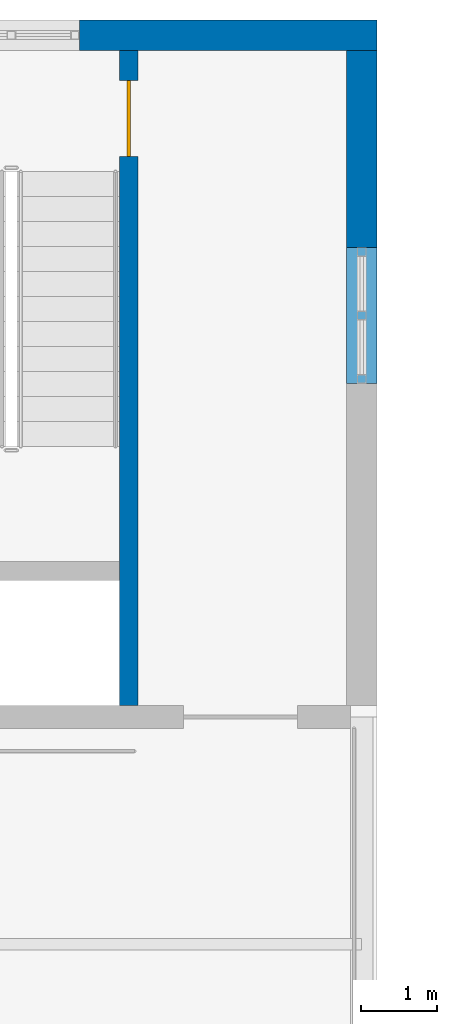
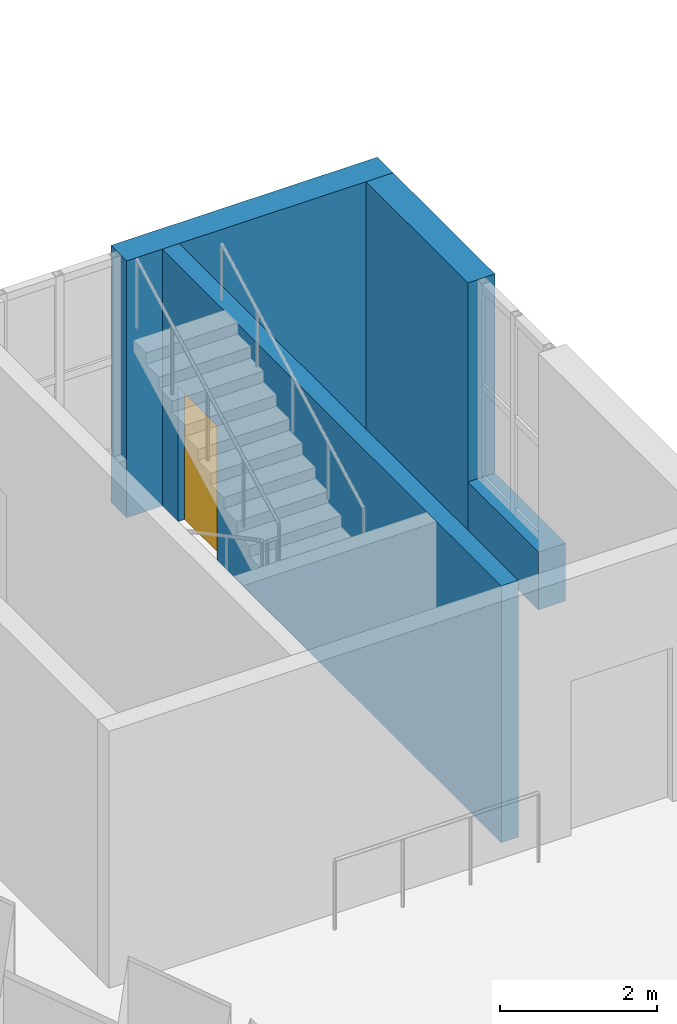
# One storey, part 116 of 154: 4 walls, 1 door, 1 opening.
"""IFC4 building model written with IfcOpenShell, lengths in metres."""

from ifc_helpers import new_model, si_unit, direction, frame, frame_2d, origin, place, context, subcontext, project, spatial, rectangle, extrude, material, layer, layer_set, type_object, element, fill, save


model = new_model("IFC4")

# Units and contexts
model_context = context("Model", 3, precision=1e-05, world=origin(), true_north=direction((0.0, 1.0)))
body_context = subcontext(model_context, "Body", "Model", "MODEL_VIEW")
ifc_project = project(units=[si_unit("LENGTHUNIT", "METRE"), si_unit("AREAUNIT", "SQUARE_METRE"), si_unit("VOLUMEUNIT", "CUBIC_METRE"), si_unit("PLANEANGLEUNIT", "RADIAN"), si_unit("MASSUNIT", "GRAM", prefix="KILO")], contexts=[model_context])

# Site, building, storey
site_placement = place(None, origin())
site = spatial("IfcSite", under=ifc_project, at=site_placement, CompositionType="ELEMENT")
building_placement = place(site_placement, origin())
building = spatial("IfcBuilding", under=site, at=building_placement, Name="Golden Quay Civic Hall", CompositionType="ELEMENT")
storey_placement = place(building_placement, frame((0.0, 0.0, 14.39990234375)))
storey = spatial("IfcBuildingStorey", under=building, at=storey_placement, Name="L03", CompositionType="ELEMENT", Elevation=14.39990234375)

# Wall, opening, door
ifc_material_1 = material(Name="Concrete C40/50", Category="concrete")
ifc_layer_1 = layer(ifc_material_1, 0.25)
ifc_layer_set_1 = layer_set([ifc_layer_1], Name="Reinforced concrete shaft wall 250, Concrete C40/50")
wall_type_1 = type_object("IfcWallType", Name="Reinforced concrete shaft wall 250", PredefinedType="SHEAR", material=ifc_layer_set_1)
wall_1_placement = place(storey_placement, frame((104.925048828125, 107.800048828125, 0.0), z_axis=(0.0, 0.0, 1.0), x_axis=(0.0, -1.0, 0.0)))
wall_1 = element("IfcWall", 1, at=wall_1_placement, inside=storey, type_object=wall_type_1, Name="Shaft wall NE 1", PredefinedType="SHEAR", context=body_context, shape_type="SweptSolid", body=[
    extrude(rectangle(XDim=8.650146484375, YDim=0.25, at=frame_2d((4.3251953125, 0.0))), origin(), (0.0, 0.0, 1.0), 4.0),
])
opening_placement = place(wall_1_placement, frame((0.39990234375, 0.0, 0.0)))
opening = element("IfcOpeningElement", 2, at=opening_placement, cuts=wall_1, Name="Opening L03-D140", PredefinedType="OPENING", context=body_context, shape_type="SweptSolid", body=[
    extrude(rectangle(XDim=1.0, YDim=2.10009765625, at=frame_2d((0.5, 1.050048828125))), frame((0.0, 0.135009765625, 0.0), z_axis=(0.0, -1.0, 0.0), x_axis=(1.0, 0.0, 0.0)), (0.0, 0.0, 1.0), 0.27001953125),
])
ifc_material_2 = material(Name="Steel", Category="steel")
door_type = type_object("IfcDoorType", Name="Steel fire door FD60 1100 x 2100", OperationType="SINGLE_SWING_LEFT", PredefinedType="DOOR", material=ifc_material_2)
door_placement = place(opening_placement, frame((1.0, 0.0, 0.0), z_axis=(0.0, 0.0, 1.0), x_axis=(-1.0, 0.0, 0.0)))
door = element("IfcDoor", 3, at=door_placement, inside=storey, type_object=door_type, Name="Stair door NE", OperationType="SINGLE_SWING_RIGHT", OverallHeight=2.10009765625, OverallWidth=1.0, PredefinedType="DOOR", context=body_context, shape_type="SweptSolid", body=[
    extrude(rectangle(XDim=1.0, YDim=2.10009765625, at=frame_2d((0.5, 1.050048828125))), frame((0.0, 0.025146484375, 0.0), z_axis=(0.0, -1.0, 0.0), x_axis=(1.0, 0.0, 0.0)), (0.0, 0.0, 1.0), 0.050048828125),
])
fill(opening, door)

# Walls
ifc_material_3 = material(Name="Brick masonry with render", Category="masonry")
ifc_layer_2 = layer(ifc_material_3, 0.39990234375)
ifc_layer_set_2 = layer_set([ifc_layer_2], Name="Rendered brick external wall 400 fire EI 120")
wall_type_2 = type_object("IfcWallType", Name="Rendered brick external wall 400 fire EI 120", PredefinedType="STANDARD", material=ifc_layer_set_2)
wall_2_placement = place(storey_placement, frame((104.27490234375, 108.0, 0.0), z_axis=(0.0, 0.0, 1.0), x_axis=(1.0, 0.0, 0.0)))
element("IfcWall", 4, at=wall_2_placement, inside=storey, type_object=wall_type_2, Name="Pocket wall NE 1 (beyond the bay)", PredefinedType="STANDARD", context=body_context, shape_type="SweptSolid", body=[
    extrude(rectangle(XDim=3.925048828125, YDim=0.39990234375, at=frame_2d((1.96240234375, 0.0))), origin(), (0.0, 0.0, 1.0), 4.0),
])
wall_3_placement = place(storey_placement, frame((108.0, 105.199951171875, 0.0), z_axis=(0.0, 0.0, 1.0), x_axis=(0.0, 1.0, 0.0)))
element("IfcWall", 5, at=wall_3_placement, inside=storey, type_object=wall_type_2, Name="Pocket wall NE 2 (beyond the bay)", PredefinedType="STANDARD", context=body_context, shape_type="SweptSolid", body=[
    extrude(rectangle(XDim=2.60009765625, YDim=0.39990234375, at=frame_2d((1.300048828125, 0.0))), origin(), (0.0, 0.0, 1.0), 4.0),
])
wall_4_placement = place(storey_placement, frame((108.0, 103.39990234375, 0.0), z_axis=(0.0, 0.0, 1.0), x_axis=(0.0, 1.0, 0.0)))
element("IfcWall", 6, at=wall_4_placement, inside=storey, type_object=wall_type_2, Name="Pocket wall NE 2 sill", PredefinedType="STANDARD", context=body_context, shape_type="SweptSolid", body=[
    extrude(rectangle(XDim=1.800048828125, YDim=0.39990234375, at=frame_2d((0.89990234375, 0.0))), origin(), (0.0, 0.0, 1.0), 0.900146484375),
])

save(model, "model.ifc")
